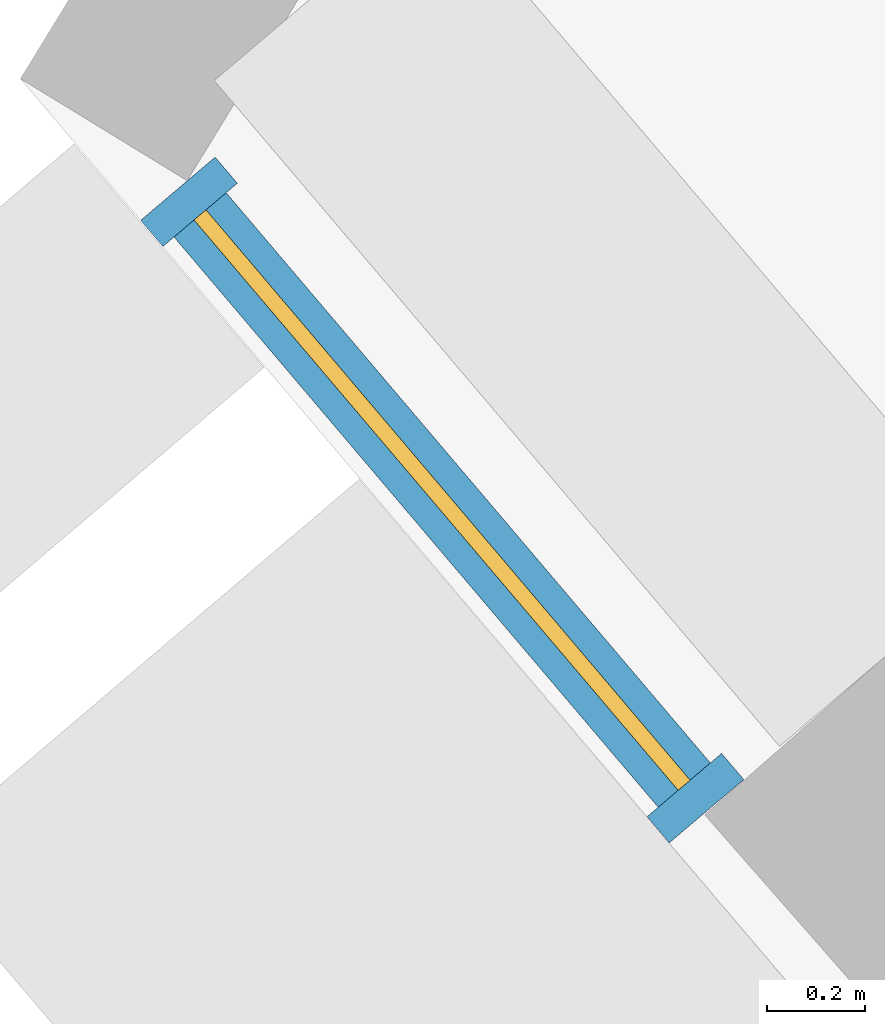
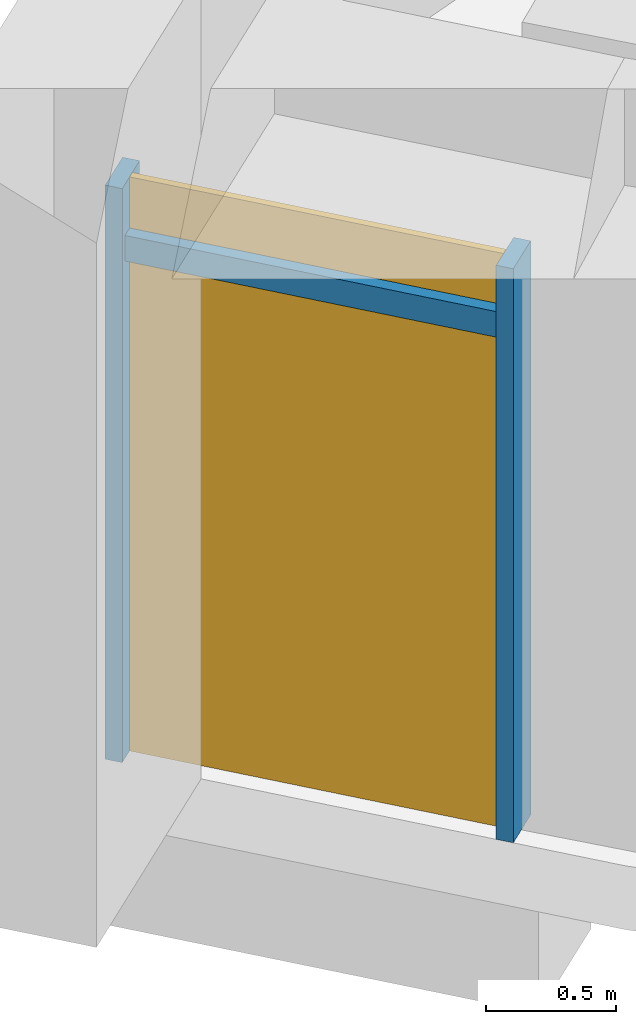
# One storey, part 19 of 28: 3 members, 1 curtain wall.
"""IFC4 building model written with IfcOpenShell, lengths in metres."""

from ifc_helpers import new_model, si_unit, direction, frame, origin, origin_2d, place, context, subcontext, project, spatial, rectangle, extrude, material, material_profile, profile_set, type_object, element, aggregate, save


model = new_model("IFC4")

# Units and contexts
model_context = context("Model", 3, precision=1e-05, world=origin(), true_north=direction((0.0, 1.0)))
body_context = subcontext(model_context, "Body", "Model", "MODEL_VIEW")
ifc_project = project(units=[si_unit("LENGTHUNIT", "METRE"), si_unit("AREAUNIT", "SQUARE_METRE"), si_unit("VOLUMEUNIT", "CUBIC_METRE"), si_unit("PLANEANGLEUNIT", "RADIAN"), si_unit("MASSUNIT", "GRAM", prefix="KILO")], contexts=[model_context])

# Member
ifc_material = material(Name="Aluminium 6063-T6 anodised", Category="aluminium")
ifc_material_profile_1 = material_profile(ifc_material, rectangle(XDim=0.199951171875, YDim=0.070068359375, at=origin_2d()))
ifc_profile_set_1 = profile_set([ifc_material_profile_1], Name="Aluminium 6063-T6 anodised")
member_type_1 = type_object("IfcMemberType", Name="Mullion 70 x 200 aluminium", PredefinedType="MULLION", material=ifc_profile_set_1)
site_placement = place(None, origin())
building_placement = place(site_placement, origin())
storey_placement = place(building_placement, frame((0.0, 0.0, 277.10009765625)))
member_1_placement = place(storey_placement, frame((-60.18310546875, -50.001953125, 0.0), z_axis=(0.0, 0.0, 1.0), x_axis=(0.762284036665, 0.647242649588, 0.0)))
member_1 = element("IfcMember", 1, at=member_1_placement, type_object=member_type_1, Name="e-cw1-L67-out00/M00", PredefinedType="MULLION", context=body_context, shape_type="SweptSolid", body=[
    extrude(rectangle(XDim=0.199951171875, YDim=0.070068359375, at=origin_2d()), origin(), (0.0, 0.0, 1.0), 2.699951171875),
])

member_2_placement = place(storey_placement, frame((-59.1474609375, -51.221435546875, 0.0), z_axis=(0.0, 0.0, 1.0), x_axis=(0.762284036665, 0.647242649588, 0.0)))
member_2 = element("IfcMember", 2, at=member_2_placement, type_object=member_type_1, Name="e-cw1-L67-out00/M01", PredefinedType="MULLION", context=body_context, shape_type="SweptSolid", body=[
    extrude(rectangle(XDim=0.199951171875, YDim=0.070068359375, at=origin_2d()), origin(), (0.0, 0.0, 1.0), 2.699951171875),
])

ifc_material_profile_2 = material_profile(ifc_material, rectangle(XDim=0.139892578125, YDim=0.1201171875, at=origin_2d()))
ifc_profile_set_2 = profile_set([ifc_material_profile_2], Name="Aluminium 6063-T6 anodised")
member_type_2 = type_object("IfcMemberType", Name="Transom 120 x 140 aluminium", PredefinedType="USERDEFINED", material=ifc_profile_set_2)
member_3_placement = place(storey_placement, frame((-60.160400390625, -50.028564453125, 2.39990234375), z_axis=(0.647236070663, -0.762289622672, 0.0), x_axis=(0.762289622672, 0.647236070663, 0.0)))
member_3 = element("IfcMember", 3, at=member_3_placement, type_object=member_type_2, Name="e-cw1-L67-out00/T00", ObjectType="TRANSOM", PredefinedType="USERDEFINED", context=body_context, shape_type="SweptSolid", body=[
    extrude(rectangle(XDim=0.139892578125, YDim=0.1201171875, at=origin_2d()), origin(), (0.0, 0.0, 1.0), 1.530029296875),
])

# Site, building, storey
site = spatial("IfcSite", under=ifc_project, at=site_placement, CompositionType="ELEMENT")
building = spatial("IfcBuilding", under=site, at=building_placement, Name="Qamariyya Broadcast Tower", CompositionType="ELEMENT")
storey = spatial("IfcBuildingStorey", under=building, at=storey_placement, Name="L67", CompositionType="ELEMENT", Elevation=277.10009765625)

# Curtain wall
curtain_wall_type = type_object("IfcCurtainWallType", Name="Unitised curtain wall, anodised aluminium", PredefinedType="NOTDEFINED", material=ifc_material)
curtain_wall_placement = place(storey_placement, origin())
curtain_wall = element("IfcCurtainWall", 4, at=curtain_wall_placement, inside=storey, type_object=curtain_wall_type, Name="e-cw1-L67-out00", PredefinedType="NOTDEFINED", context=body_context, shape_type="SweptSolid", body=[
    extrude(rectangle(XDim=1.530029296875, YDim=0.031982421875, at=origin_2d()), frame((-59.66552734375, -50.61181640625, 0.0), x_axis=(0.647160297227, -0.762353953025, 0.0)), (0.0, 0.0, 1.0), 2.340087890625),
    extrude(rectangle(XDim=1.530029296875, YDim=0.031982421875, at=origin_2d()), frame((-59.66552734375, -50.61181640625, 2.4599609375), x_axis=(0.647160297227, -0.762353953025, 0.0)), (0.0, 0.0, 1.0), 0.239990234375),
])

aggregate(curtain_wall, [member_1, member_2, member_3])

save(model, "model.ifc")
